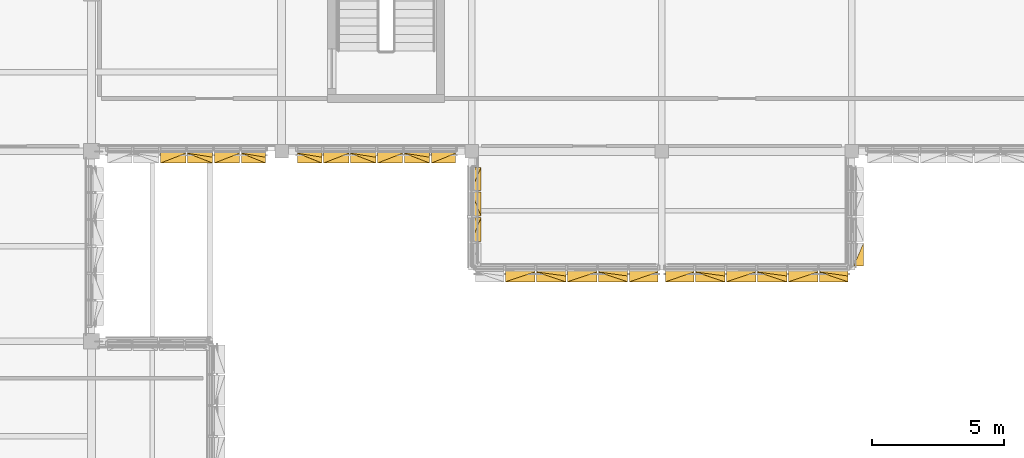
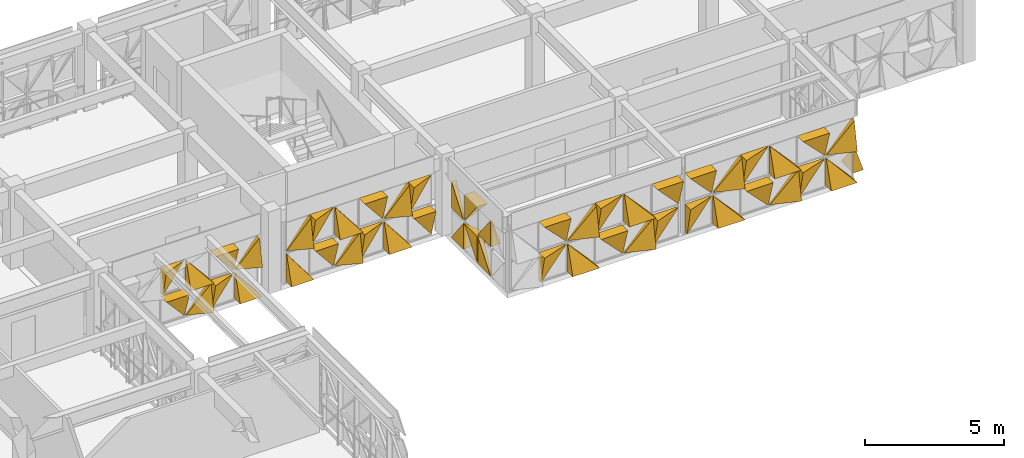
# One storey, part 92 of 99: 49 coverings.
"""IFC4 building model written with IfcOpenShell, lengths in metres."""

import ifcopenshell
import ifcopenshell.guid

model = None  # the IFC model being written
_history = None  # IfcOwnerHistory: only IFC2X3 demands one
_inside = {}  # id of a spatial element -> (the spatial element, [elements in it])
_under = {}  # id of a project, library or spatial element -> (it, [spatial elements below it])
_declared = {}  # id of a project -> (the project, [libraries it declares])
_typed = {}  # id of a type object -> (the type object, [elements of that type])
_made_of = {}  # id of a material, layer set ... -> (it, [elements and type objects made of it])


def new_model(schema):
    """Start an empty IFC model of exactly this schema.

    Asked for "IFC4X3", IfcOpenShell would pick the latest addendum, in which some entities
    have other attributes; the version numbers below select the first issue.
    IFC2X3 requires an IfcOwnerHistory on every rooted entity: one is made here for all.
    """
    global model, _history
    if schema == "IFC4X3":
        model = ifcopenshell.file(schema_version=(4, 3, 0, 0))
    else:
        model = ifcopenshell.file(schema=schema)
    _inside.clear()
    _under.clear()
    _declared.clear()
    _typed.clear()
    _made_of.clear()
    _history = None
    if model.schema == "IFC2X3":
        org = make("IfcOrganization", Name="unknown")
        user = make(
            "IfcPersonAndOrganization",
            ThePerson=make("IfcPerson", FamilyName="unknown"),
            TheOrganization=org,
        )
        app = make(
            "IfcApplication",
            ApplicationDeveloper=org,
            Version="unknown",
            ApplicationFullName="unknown",
            ApplicationIdentifier="unknown",
        )
        _history = make(
            "IfcOwnerHistory",
            OwningUser=user,
            OwningApplication=app,
            ChangeAction="ADDED",
            CreationDate=0,
        )
    return model


def make(cls, **values):
    """One entity of the class cls with the attributes given. An attribute that is None is left unset."""
    return model.create_entity(
        cls, **{name: value for name, value in values.items() if value is not None}
    )


def rooted(cls, **values):
    """An entity with a GlobalId (a new one), such as an element, a storey or a relation."""
    return make(cls, GlobalId=ifcopenshell.guid.new(), OwnerHistory=_history, **values)


def si_unit(unit_type, name, prefix=None):
    """IfcSIUnit, for example si_unit("LENGTHUNIT", "METRE", prefix="MILLI")."""
    return make("IfcSIUnit", UnitType=unit_type, Prefix=prefix, Name=name)


def assignment(units):
    """IfcUnitAssignment: the units of a project."""
    return None if units is None else make("IfcUnitAssignment", Units=units)


def point(xyz):
    """IfcCartesianPoint."""
    return None if xyz is None else make("IfcCartesianPoint", Coordinates=xyz)


def direction(xyz):
    """IfcDirection."""
    return None if xyz is None else make("IfcDirection", DirectionRatios=xyz)


def frame(location, z_axis=None, x_axis=None):
    """IfcAxis2Placement3D, a coordinate frame: its origin and axes. An axis left out is left unset."""
    return make(
        "IfcAxis2Placement3D",
        Location=point(location),
        Axis=direction(z_axis),
        RefDirection=direction(x_axis),
    )


def origin():
    """The frame at (0, 0, 0) with its axes left unset."""
    return frame((0.0, 0.0, 0.0))


def place(relative_to, where):
    """IfcLocalPlacement: puts the frame where relative to a parent placement (None: the world)."""
    return make(
        "IfcLocalPlacement", PlacementRelTo=relative_to, RelativePlacement=where
    )


def context(
    kind, dimensions, precision=None, world=None, true_north=None, identifier=None
):
    """IfcGeometricRepresentationContext, for example the 3D "Model" context."""
    return make(
        "IfcGeometricRepresentationContext",
        ContextIdentifier=identifier,
        ContextType=kind,
        CoordinateSpaceDimension=dimensions,
        Precision=precision,
        WorldCoordinateSystem=world,
        TrueNorth=true_north,
    )


def subcontext(parent, identifier, kind, view, scale=None):
    """IfcGeometricRepresentationSubContext, for example "Body" below "Model"."""
    return make(
        "IfcGeometricRepresentationSubContext",
        ContextIdentifier=identifier,
        ContextType=kind,
        ParentContext=parent,
        TargetScale=scale,
        TargetView=view,
    )


def project(units=None, contexts=None):
    """IfcProject with its units and contexts."""
    return rooted(
        "IfcProject",
        Name="project",
        RepresentationContexts=contexts,
        UnitsInContext=assignment(units),
    )


def spatial(cls, under=None, at=None, **own):
    """A site, building, storey or space (cls), placed at a placement, below another one or the project."""
    s = rooted(cls, ObjectPlacement=at, **own)
    if under is not None:
        _under.setdefault(under.id(), (under, []))[1].append(s)
    return s


def point_list(points):
    """IfcCartesianPointList2D or 3D."""
    cls = (
        "IfcCartesianPointList2D" if len(points[0]) == 2 else "IfcCartesianPointList3D"
    )
    return make(cls, CoordList=points)


def polygons(points, faces, closed=None, point_numbers=None):
    """IfcPolygonalFaceSet: a face is its outer loop, then its inner loops; points numbered from 1."""
    made = []
    for loops in faces:
        if len(loops) == 1:
            made.append(make("IfcIndexedPolygonalFace", CoordIndex=loops[0]))
        else:
            made.append(
                make(
                    "IfcIndexedPolygonalFaceWithVoids",
                    CoordIndex=loops[0],
                    InnerCoordIndices=loops[1:],
                )
            )
    return make(
        "IfcPolygonalFaceSet",
        Coordinates=point_list(points),
        Closed=closed,
        Faces=made,
        PnIndex=point_numbers,
    )


def shape(context_of_items, identifier, shape_type, items):
    """IfcShapeRepresentation: the items that make up one representation, for example the "Body"."""
    return make(
        "IfcShapeRepresentation",
        ContextOfItems=context_of_items,
        RepresentationIdentifier=identifier,
        RepresentationType=shape_type,
        Items=items,
    )


def material(Name=None, Category=None):
    """IfcMaterial."""
    return make("IfcMaterial", Name=Name, Category=Category)


def layer(
    of_material, thickness, ventilated=None, Name=None, Category=None, Priority=None
):
    """IfcMaterialLayer: one layer of a wall or slab, of a material (None: an air gap)."""
    return make(
        "IfcMaterialLayer",
        Material=of_material,
        LayerThickness=thickness,
        IsVentilated=ventilated,
        Name=Name,
        Category=Category,
        Priority=Priority,
    )


def layer_set(layers, Name=None):
    """IfcMaterialLayerSet."""
    return make("IfcMaterialLayerSet", MaterialLayers=layers, LayerSetName=Name)


def made_of(thing, what):
    """Note that an element or type object is made of a material, layer set ...; save() writes the relation."""
    if what is not None:
        _made_of.setdefault(what.id(), (what, []))[1].append(thing)
    return thing


def type_object(cls, material=None, **own):
    """A type object (cls), such as IfcWallType, which elements share."""
    return made_of(rooted(cls, **own), material)


def element(
    cls,
    number,
    at=None,
    inside=None,
    cuts=None,
    type_object=None,
    material=None,
    context=None,
    identifier="Body",
    shape_type=None,
    held_by="IfcProductDefinitionShape",
    body=None,
    shapes=None,
    **own,
):
    """One element of the class cls, such as IfcWall. Its Tag is "e" and its number.

    at: its placement. inside: the storey or other place that contains it. cuts: it is an
    opening in that element (IfcRelVoidsElement). A single representation is given by context,
    identifier, shape_type and body (its items); several are given by shapes. held_by: the class
    of the entity that holds the representations. save() writes the other relations.
    """
    e = rooted(cls, Tag="e%d" % number, ObjectPlacement=at, **own)
    if body is not None:
        shapes = [shape(context, identifier, shape_type, body)]
    if shapes is not None:
        e.Representation = make(held_by, Representations=shapes)
    if inside is not None:
        _inside.setdefault(inside.id(), (inside, []))[1].append(e)
    if cuts is not None:
        rooted(
            "IfcRelVoidsElement", RelatingBuildingElement=cuts, RelatedOpeningElement=e
        )
    if type_object is not None:
        _typed.setdefault(type_object.id(), (type_object, []))[1].append(e)
    return made_of(e, material)


def aggregate(whole, parts):
    """IfcRelAggregates: a whole, such as a stair, and the parts it consists of."""
    return rooted("IfcRelAggregates", RelatingObject=whole, RelatedObjects=parts)


def save(model, path):
    """Write the relations noted so far, then the file.

    IfcRelAggregates (storeys below a building ...), IfcRelContainedInSpatialStructure (elements
    in a storey), IfcRelDefinesByType, IfcRelAssociatesMaterial and IfcRelDeclares: one each for
    every whole, place, type object, material and project.
    """
    for whole, parts in _under.values():
        aggregate(whole, parts)
    for where, things in _inside.values():
        rooted(
            "IfcRelContainedInSpatialStructure",
            RelatedElements=things,
            RelatingStructure=where,
        )
    for kind, things in _typed.values():
        rooted("IfcRelDefinesByType", RelatedObjects=things, RelatingType=kind)
    for what, things in _made_of.values():
        rooted("IfcRelAssociatesMaterial", RelatedObjects=things, RelatingMaterial=what)
    for by, libraries in _declared.values():
        rooted("IfcRelDeclares", RelatingContext=by, RelatedDefinitions=libraries)
    model.write(path)


model = new_model("IFC4")

# Units and contexts
model_context = context("Model", 3, precision=1e-05, world=origin(), true_north=direction((0.0, 1.0)))
body_context = subcontext(model_context, "Body", "Model", "MODEL_VIEW")
ifc_project = project(units=[si_unit("LENGTHUNIT", "METRE"), si_unit("AREAUNIT", "SQUARE_METRE"), si_unit("VOLUMEUNIT", "CUBIC_METRE"), si_unit("PLANEANGLEUNIT", "RADIAN"), si_unit("MASSUNIT", "GRAM", prefix="KILO")], contexts=[model_context])

# Site, building, storey
site_placement = place(None, origin())
site = spatial("IfcSite", under=ifc_project, at=site_placement, CompositionType="ELEMENT")
building_placement = place(site_placement, origin())
building = spatial("IfcBuilding", under=site, at=building_placement, Name="Alvorim Cloister Faculty of Sciences", CompositionType="ELEMENT")
storey_placement = place(building_placement, frame((0.0, 0.0, 12.14990234375)))
storey = spatial("IfcBuildingStorey", under=building, at=storey_placement, Name="L03", CompositionType="ELEMENT", Elevation=12.14990234375)

# Coverings
ifc_material = material(Name="Perforated Bronze Alloy Sheet", Category="metal")
ifc_layer = layer(ifc_material, 0.0380859375)
ifc_layer_set = layer_set([ifc_layer], Name="Perforated Bronze Alloy Sheet")
covering_type = type_object("IfcCoveringType", Name="COV-TRI-BRZ", PredefinedType="CLADDING", material=ifc_layer_set)
covering_1_placement = place(storey_placement, frame((57.64501953125, 38.844970703125, 0.14013671875), z_axis=(0.0, 0.0, 1.0), x_axis=(0.0, 1.0, 0.0)))
element("IfcCovering", 1, at=covering_1_placement, inside=storey, type_object=covering_type, Name="Diagonal Solid Metal Triangle TRI-BL", PredefinedType="CLADDING", context=body_context, shape_type="Tessellation", body=[
    polygons([(0.0, 0.0260009765625, 0.0), (0.87055859375, 0.0260009765625, 0.0), (0.0, 0.0260009765625, 1.14106640625), (0.0, -0.4, 0.0), (0.87055859375, -0.4, 0.0), (0.0, -0.03, 1.14106640625)], [[[1, 3, 2]], [[4, 5, 6]], [[1, 2, 5, 4]], [[2, 3, 6, 5]], [[3, 1, 4, 6]]], closed=True),
])
covering_2_placement = place(storey_placement, frame((50.544921875, 38.655029296875, 0.14013671875), z_axis=(0.0, 0.0, 1.0), x_axis=(1.0, 0.0, 0.0)))
element("IfcCovering", 2, at=covering_2_placement, inside=storey, type_object=covering_type, Name="Diagonal Solid Metal Triangle TRI-TL", PredefinedType="CLADDING", context=body_context, shape_type="Tessellation", body=[
    polygons([(1.073927734375, 0.0260009765625, 1.218505859375), (0.0, 0.0260009765625, 1.218505859375), (0.0, 0.0260009765625, 0.002), (1.073927734375, -0.03, 1.218505859375), (0.0, -0.4, 1.218505859375), (0.0, -0.13999999999999999, 0.002)], [[[1, 3, 2]], [[4, 5, 6]], [[1, 2, 5, 4]], [[2, 3, 6, 5]], [[3, 1, 4, 6]]], closed=True),
])
covering_3_placement = place(storey_placement, frame((50.544921875, 38.655029296875, 1.49853515625), z_axis=(0.0, 0.0, 1.0), x_axis=(1.0, 0.0, 0.0)))
element("IfcCovering", 3, at=covering_3_placement, inside=storey, type_object=covering_type, Name="Diagonal Solid Metal Triangle TRI-TR", PredefinedType="CLADDING", context=body_context, shape_type="Tessellation", body=[
    polygons([(1.075927734375, 0.0260009765625, 0.002), (1.075927734375, 0.0260009765625, 1.218505859375), (0.002, 0.0260009765625, 1.218505859375), (1.075927734375, -0.03, 0.002), (1.075927734375, -0.4, 1.218505859375), (0.002, -0.4, 1.218505859375)], [[[1, 3, 2]], [[4, 5, 6]], [[1, 2, 5, 4]], [[2, 3, 6, 5]], [[3, 1, 4, 6]]], closed=True),
])
covering_4_placement = place(storey_placement, frame((51.685791015625, 38.655029296875, 0.14013671875), z_axis=(0.0, 0.0, 1.0), x_axis=(1.0, 0.0, 0.0)))
element("IfcCovering", 4, at=covering_4_placement, inside=storey, type_object=covering_type, Name="Diagonal Solid Metal Triangle TRI-BL", PredefinedType="CLADDING", context=body_context, shape_type="Tessellation", body=[
    polygons([(0.0, 0.0260009765625, 0.0), (1.1063984375, 0.0260009765625, 0.0), (0.0, 0.0260009765625, 1.216505859375), (0.0, -0.4, 0.0), (1.1063984375, -0.4, 0.0), (0.0, -0.03, 1.216505859375)], [[[1, 3, 2]], [[4, 5, 6]], [[1, 2, 5, 4]], [[2, 3, 6, 5]], [[3, 1, 4, 6]]], closed=True),
])
covering_5_placement = place(storey_placement, frame((51.685791015625, 38.655029296875, 1.49853515625), z_axis=(0.0, 0.0, 1.0), x_axis=(1.0, 0.0, 0.0)))
element("IfcCovering", 5, at=covering_5_placement, inside=storey, type_object=covering_type, Name="Diagonal Solid Metal Triangle TRI-BR", PredefinedType="CLADDING", context=body_context, shape_type="Tessellation", body=[
    polygons([(0.002, 0.0260009765625, 0.0), (1.1083984375, 0.0260009765625, 0.0), (1.1083984375, 0.0260009765625, 1.216505859375), (0.002, -0.03, 0.0), (1.1083984375, -0.4, 0.0), (1.1083984375, -0.18000000000000002, 1.216505859375)], [[[1, 3, 2]], [[4, 5, 6]], [[1, 2, 5, 4]], [[2, 3, 6, 5]], [[3, 1, 4, 6]]], closed=True),
])
covering_6_placement = place(storey_placement, frame((52.859130859375, 38.655029296875, 0.14013671875), z_axis=(0.0, 0.0, 1.0), x_axis=(1.0, 0.0, 0.0)))
element("IfcCovering", 6, at=covering_6_placement, inside=storey, type_object=covering_type, Name="Diagonal Solid Metal Triangle TRI-TR", PredefinedType="CLADDING", context=body_context, shape_type="Tessellation", body=[
    polygons([(1.1083984375, 0.0260009765625, 0.002), (1.1083984375, 0.0260009765625, 1.218505859375), (0.002, 0.0260009765625, 1.218505859375), (1.1083984375, -0.03, 0.002), (1.1083984375, -0.4, 1.218505859375), (0.002, -0.4, 1.218505859375)], [[[1, 3, 2]], [[4, 5, 6]], [[1, 2, 5, 4]], [[2, 3, 6, 5]], [[3, 1, 4, 6]]], closed=True),
])
covering_7_placement = place(storey_placement, frame((52.859130859375, 38.655029296875, 1.49853515625), z_axis=(0.0, 0.0, 1.0), x_axis=(1.0, 0.0, 0.0)))
element("IfcCovering", 7, at=covering_7_placement, inside=storey, type_object=covering_type, Name="Diagonal Solid Metal Triangle TRI-TL", PredefinedType="CLADDING", context=body_context, shape_type="Tessellation", body=[
    polygons([(1.1063984375, 0.0260009765625, 1.218505859375), (0.0, 0.0260009765625, 1.218505859375), (0.0, 0.0260009765625, 0.002), (1.1063984375, -0.03, 1.218505859375), (0.0, -0.4, 1.218505859375), (0.0, -0.13999999999999999, 0.002)], [[[1, 3, 2]], [[4, 5, 6]], [[1, 2, 5, 4]], [[2, 3, 6, 5]], [[3, 1, 4, 6]]], closed=True),
])
covering_8_placement = place(storey_placement, frame((54.032470703125, 38.655029296875, 0.14013671875), z_axis=(0.0, 0.0, 1.0), x_axis=(1.0, 0.0, 0.0)))
element("IfcCovering", 8, at=covering_8_placement, inside=storey, type_object=covering_type, Name="Diagonal Solid Metal Triangle TRI-BR", PredefinedType="CLADDING", context=body_context, shape_type="Tessellation", body=[
    polygons([(0.002, 0.0260009765625, 0.0), (1.1083984375, 0.0260009765625, 0.0), (1.1083984375, 0.0260009765625, 1.216505859375), (0.002, -0.03, 0.0), (1.1083984375, -0.4, 0.0), (1.1083984375, -0.18000000000000002, 1.216505859375)], [[[1, 3, 2]], [[4, 5, 6]], [[1, 2, 5, 4]], [[2, 3, 6, 5]], [[3, 1, 4, 6]]], closed=True),
])
covering_9_placement = place(storey_placement, frame((54.032470703125, 38.655029296875, 1.49853515625), z_axis=(0.0, 0.0, 1.0), x_axis=(1.0, 0.0, 0.0)))
element("IfcCovering", 9, at=covering_9_placement, inside=storey, type_object=covering_type, Name="Diagonal Solid Metal Triangle TRI-BL", PredefinedType="CLADDING", context=body_context, shape_type="Tessellation", body=[
    polygons([(0.0, 0.0260009765625, 0.0), (1.1063984375, 0.0260009765625, 0.0), (0.0, 0.0260009765625, 1.216505859375), (0.0, -0.4, 0.0), (1.1063984375, -0.4, 0.0), (0.0, -0.03, 1.216505859375)], [[[1, 3, 2]], [[4, 5, 6]], [[1, 2, 5, 4]], [[2, 3, 6, 5]], [[3, 1, 4, 6]]], closed=True),
])
covering_10_placement = place(storey_placement, frame((55.205810546875, 38.655029296875, 0.14013671875), z_axis=(0.0, 0.0, 1.0), x_axis=(1.0, 0.0, 0.0)))
element("IfcCovering", 10, at=covering_10_placement, inside=storey, type_object=covering_type, Name="Diagonal Solid Metal Triangle TRI-TL", PredefinedType="CLADDING", context=body_context, shape_type="Tessellation", body=[
    polygons([(1.1063984375, 0.0260009765625, 1.218505859375), (0.0, 0.0260009765625, 1.218505859375), (0.0, 0.0260009765625, 0.002), (1.1063984375, -0.03, 1.218505859375), (0.0, -0.4, 1.218505859375), (0.0, -0.13999999999999999, 0.002)], [[[1, 3, 2]], [[4, 5, 6]], [[1, 2, 5, 4]], [[2, 3, 6, 5]], [[3, 1, 4, 6]]], closed=True),
])
covering_11_placement = place(storey_placement, frame((55.205810546875, 38.655029296875, 1.49853515625), z_axis=(0.0, 0.0, 1.0), x_axis=(1.0, 0.0, 0.0)))
element("IfcCovering", 11, at=covering_11_placement, inside=storey, type_object=covering_type, Name="Diagonal Solid Metal Triangle TRI-TR", PredefinedType="CLADDING", context=body_context, shape_type="Tessellation", body=[
    polygons([(1.1083984375, 0.0260009765625, 0.002), (1.1083984375, 0.0260009765625, 1.218505859375), (0.002, 0.0260009765625, 1.218505859375), (1.1083984375, -0.03, 0.002), (1.1083984375, -0.4, 1.218505859375), (0.002, -0.4, 1.218505859375)], [[[1, 3, 2]], [[4, 5, 6]], [[1, 2, 5, 4]], [[2, 3, 6, 5]], [[3, 1, 4, 6]]], closed=True),
])
covering_12_placement = place(storey_placement, frame((56.379150390625, 38.655029296875, 0.14013671875), z_axis=(0.0, 0.0, 1.0), x_axis=(1.0, 0.0, 0.0)))
element("IfcCovering", 12, at=covering_12_placement, inside=storey, type_object=covering_type, Name="Diagonal Solid Metal Triangle TRI-BL", PredefinedType="CLADDING", context=body_context, shape_type="Tessellation", body=[
    polygons([(0.0, 0.0260009765625, 0.0), (1.073927734375, 0.0260009765625, 0.0), (0.0, 0.0260009765625, 1.216505859375), (0.0, -0.4, 0.0), (1.073927734375, -0.4, 0.0), (0.0, -0.03, 1.216505859375)], [[[1, 3, 2]], [[4, 5, 6]], [[1, 2, 5, 4]], [[2, 3, 6, 5]], [[3, 1, 4, 6]]], closed=True),
])
covering_13_placement = place(storey_placement, frame((56.379150390625, 38.655029296875, 1.49853515625), z_axis=(0.0, 0.0, 1.0), x_axis=(1.0, 0.0, 0.0)))
element("IfcCovering", 13, at=covering_13_placement, inside=storey, type_object=covering_type, Name="Diagonal Solid Metal Triangle TRI-BR", PredefinedType="CLADDING", context=body_context, shape_type="Tessellation", body=[
    polygons([(0.002, 0.0260009765625, 0.0), (1.075927734375, 0.0260009765625, 0.0), (1.075927734375, 0.0260009765625, 1.216505859375), (0.002, -0.03, 0.0), (1.075927734375, -0.4, 0.0), (1.075927734375, -0.18000000000000002, 1.216505859375)], [[[1, 3, 2]], [[4, 5, 6]], [[1, 2, 5, 4]], [[2, 3, 6, 5]], [[3, 1, 4, 6]]], closed=True),
])
covering_14_placement = place(storey_placement, frame((44.48583984375, 38.655029296875, 0.14013671875), z_axis=(0.0, 0.0, 1.0), x_axis=(1.0, 0.0, 0.0)))
element("IfcCovering", 14, at=covering_14_placement, inside=storey, type_object=covering_type, Name="Diagonal Solid Metal Triangle TRI-TL", PredefinedType="CLADDING", context=body_context, shape_type="Tessellation", body=[
    polygons([(1.1063984375, 0.0260009765625, 1.218505859375), (0.0, 0.0260009765625, 1.218505859375), (0.0, 0.0260009765625, 0.002), (1.1063984375, -0.03, 1.218505859375), (0.0, -0.4, 1.218505859375), (0.0, -0.13999999999999999, 0.002)], [[[1, 3, 2]], [[4, 5, 6]], [[1, 2, 5, 4]], [[2, 3, 6, 5]], [[3, 1, 4, 6]]], closed=True),
])
covering_15_placement = place(storey_placement, frame((44.48583984375, 38.655029296875, 1.49853515625), z_axis=(0.0, 0.0, 1.0), x_axis=(1.0, 0.0, 0.0)))
element("IfcCovering", 15, at=covering_15_placement, inside=storey, type_object=covering_type, Name="Diagonal Solid Metal Triangle TRI-TR", PredefinedType="CLADDING", context=body_context, shape_type="Tessellation", body=[
    polygons([(1.1083984375, 0.0260009765625, 0.002), (1.1083984375, 0.0260009765625, 1.218505859375), (0.002, 0.0260009765625, 1.218505859375), (1.1083984375, -0.03, 0.002), (1.1083984375, -0.4, 1.218505859375), (0.002, -0.4, 1.218505859375)], [[[1, 3, 2]], [[4, 5, 6]], [[1, 2, 5, 4]], [[2, 3, 6, 5]], [[3, 1, 4, 6]]], closed=True),
])
covering_16_placement = place(storey_placement, frame((45.6591796875, 38.655029296875, 0.14013671875), z_axis=(0.0, 0.0, 1.0), x_axis=(1.0, 0.0, 0.0)))
element("IfcCovering", 16, at=covering_16_placement, inside=storey, type_object=covering_type, Name="Diagonal Solid Metal Triangle TRI-BL", PredefinedType="CLADDING", context=body_context, shape_type="Tessellation", body=[
    polygons([(0.0, 0.0260009765625, 0.0), (1.1063984375, 0.0260009765625, 0.0), (0.0, 0.0260009765625, 1.216505859375), (0.0, -0.4, 0.0), (1.1063984375, -0.4, 0.0), (0.0, -0.03, 1.216505859375)], [[[1, 3, 2]], [[4, 5, 6]], [[1, 2, 5, 4]], [[2, 3, 6, 5]], [[3, 1, 4, 6]]], closed=True),
])
covering_17_placement = place(storey_placement, frame((45.6591796875, 38.655029296875, 1.49853515625), z_axis=(0.0, 0.0, 1.0), x_axis=(1.0, 0.0, 0.0)))
element("IfcCovering", 17, at=covering_17_placement, inside=storey, type_object=covering_type, Name="Diagonal Solid Metal Triangle TRI-BR", PredefinedType="CLADDING", context=body_context, shape_type="Tessellation", body=[
    polygons([(0.002, 0.0260009765625, 0.0), (1.1083984375, 0.0260009765625, 0.0), (1.1083984375, 0.0260009765625, 1.216505859375), (0.002, -0.03, 0.0), (1.1083984375, -0.4, 0.0), (1.1083984375, -0.18000000000000002, 1.216505859375)], [[[1, 3, 2]], [[4, 5, 6]], [[1, 2, 5, 4]], [[2, 3, 6, 5]], [[3, 1, 4, 6]]], closed=True),
])
covering_18_placement = place(storey_placement, frame((46.83251953125, 38.655029296875, 0.14013671875), z_axis=(0.0, 0.0, 1.0), x_axis=(1.0, 0.0, 0.0)))
element("IfcCovering", 18, at=covering_18_placement, inside=storey, type_object=covering_type, Name="Diagonal Solid Metal Triangle TRI-TR", PredefinedType="CLADDING", context=body_context, shape_type="Tessellation", body=[
    polygons([(1.1083984375, 0.0260009765625, 0.002), (1.1083984375, 0.0260009765625, 1.218505859375), (0.002, 0.0260009765625, 1.218505859375), (1.1083984375, -0.03, 0.002), (1.1083984375, -0.4, 1.218505859375), (0.002, -0.4, 1.218505859375)], [[[1, 3, 2]], [[4, 5, 6]], [[1, 2, 5, 4]], [[2, 3, 6, 5]], [[3, 1, 4, 6]]], closed=True),
])
covering_19_placement = place(storey_placement, frame((46.83251953125, 38.655029296875, 1.49853515625), z_axis=(0.0, 0.0, 1.0), x_axis=(1.0, 0.0, 0.0)))
element("IfcCovering", 19, at=covering_19_placement, inside=storey, type_object=covering_type, Name="Diagonal Solid Metal Triangle TRI-TL", PredefinedType="CLADDING", context=body_context, shape_type="Tessellation", body=[
    polygons([(1.1063984375, 0.0260009765625, 1.218505859375), (0.0, 0.0260009765625, 1.218505859375), (0.0, 0.0260009765625, 0.002), (1.1063984375, -0.03, 1.218505859375), (0.0, -0.4, 1.218505859375), (0.0, -0.13999999999999999, 0.002)], [[[1, 3, 2]], [[4, 5, 6]], [[1, 2, 5, 4]], [[2, 3, 6, 5]], [[3, 1, 4, 6]]], closed=True),
])
covering_20_placement = place(storey_placement, frame((48.005859375, 38.655029296875, 0.14013671875), z_axis=(0.0, 0.0, 1.0), x_axis=(1.0, 0.0, 0.0)))
element("IfcCovering", 20, at=covering_20_placement, inside=storey, type_object=covering_type, Name="Diagonal Solid Metal Triangle TRI-BR", PredefinedType="CLADDING", context=body_context, shape_type="Tessellation", body=[
    polygons([(0.002, 0.0260009765625, 0.0), (1.1083984375, 0.0260009765625, 0.0), (1.1083984375, 0.0260009765625, 1.216505859375), (0.002, -0.03, 0.0), (1.1083984375, -0.4, 0.0), (1.1083984375, -0.18000000000000002, 1.216505859375)], [[[1, 3, 2]], [[4, 5, 6]], [[1, 2, 5, 4]], [[2, 3, 6, 5]], [[3, 1, 4, 6]]], closed=True),
])
covering_21_placement = place(storey_placement, frame((48.005859375, 38.655029296875, 1.49853515625), z_axis=(0.0, 0.0, 1.0), x_axis=(1.0, 0.0, 0.0)))
element("IfcCovering", 21, at=covering_21_placement, inside=storey, type_object=covering_type, Name="Diagonal Solid Metal Triangle TRI-BL", PredefinedType="CLADDING", context=body_context, shape_type="Tessellation", body=[
    polygons([(0.0, 0.0260009765625, 0.0), (1.1063984375, 0.0260009765625, 0.0), (0.0, 0.0260009765625, 1.216505859375), (0.0, -0.4, 0.0), (1.1063984375, -0.4, 0.0), (0.0, -0.03, 1.216505859375)], [[[1, 3, 2]], [[4, 5, 6]], [[1, 2, 5, 4]], [[2, 3, 6, 5]], [[3, 1, 4, 6]]], closed=True),
])
covering_22_placement = place(storey_placement, frame((49.17919921875, 38.655029296875, 0.14013671875), z_axis=(0.0, 0.0, 1.0), x_axis=(1.0, 0.0, 0.0)))
element("IfcCovering", 22, at=covering_22_placement, inside=storey, type_object=covering_type, Name="Diagonal Solid Metal Triangle TRI-TL", PredefinedType="CLADDING", context=body_context, shape_type="Tessellation", body=[
    polygons([(1.073927734375, 0.0260009765625, 1.218505859375), (0.0, 0.0260009765625, 1.218505859375), (0.0, 0.0260009765625, 0.002), (1.073927734375, -0.03, 1.218505859375), (0.0, -0.4, 1.218505859375), (0.0, -0.13999999999999999, 0.002)], [[[1, 3, 2]], [[4, 5, 6]], [[1, 2, 5, 4]], [[2, 3, 6, 5]], [[3, 1, 4, 6]]], closed=True),
])
covering_23_placement = place(storey_placement, frame((49.17919921875, 38.655029296875, 1.49853515625), z_axis=(0.0, 0.0, 1.0), x_axis=(1.0, 0.0, 0.0)))
element("IfcCovering", 23, at=covering_23_placement, inside=storey, type_object=covering_type, Name="Diagonal Solid Metal Triangle TRI-TR", PredefinedType="CLADDING", context=body_context, shape_type="Tessellation", body=[
    polygons([(1.075927734375, 0.0260009765625, 0.002), (1.075927734375, 0.0260009765625, 1.218505859375), (0.002, 0.0260009765625, 1.218505859375), (1.075927734375, -0.03, 0.002), (1.075927734375, -0.4, 1.218505859375), (0.002, -0.4, 1.218505859375)], [[[1, 3, 2]], [[4, 5, 6]], [[1, 2, 5, 4]], [[2, 3, 6, 5]], [[3, 1, 4, 6]]], closed=True),
])
covering_24_placement = place(storey_placement, frame((43.155029296875, 39.782470703125, 0.14013671875), z_axis=(0.0, 0.0, 1.0), x_axis=(0.0, 1.0, 0.0)))
element("IfcCovering", 24, at=covering_24_placement, inside=storey, type_object=covering_type, Name="Diagonal Solid Metal Triangle TRI-BR", PredefinedType="CLADDING", context=body_context, shape_type="Tessellation", body=[
    polygons([(0.002, 0.0260009765625, 0.0), (0.905029296875, 0.0260009765625, 0.0), (0.905029296875, 0.0260009765625, 1.14106640625), (0.002, -0.03, 0.0), (0.905029296875, -0.4, 0.0), (0.905029296875, -0.18000000000000002, 1.14106640625)], [[[1, 3, 2]], [[4, 5, 6]], [[1, 2, 5, 4]], [[2, 3, 6, 5]], [[3, 1, 4, 6]]], closed=True),
])
covering_25_placement = place(storey_placement, frame((43.155029296875, 39.782470703125, 1.423095703125), z_axis=(0.0, 0.0, 1.0), x_axis=(0.0, 1.0, 0.0)))
element("IfcCovering", 25, at=covering_25_placement, inside=storey, type_object=covering_type, Name="Diagonal Solid Metal Triangle TRI-BL", PredefinedType="CLADDING", context=body_context, shape_type="Tessellation", body=[
    polygons([(0.0, 0.0260009765625, 0.0), (0.903029296875, 0.0260009765625, 0.0), (0.0, 0.0260009765625, 1.14106640625), (0.0, -0.4, 0.0), (0.903029296875, -0.4, 0.0), (0.0, -0.03, 1.14106640625)], [[[1, 3, 2]], [[4, 5, 6]], [[1, 2, 5, 4]], [[2, 3, 6, 5]], [[3, 1, 4, 6]]], closed=True),
])
covering_26_placement = place(storey_placement, frame((43.155029296875, 40.75244140625, 0.14013671875), z_axis=(0.0, 0.0, 1.0), x_axis=(0.0, 1.0, 0.0)))
element("IfcCovering", 26, at=covering_26_placement, inside=storey, type_object=covering_type, Name="Diagonal Solid Metal Triangle TRI-TL", PredefinedType="CLADDING", context=body_context, shape_type="Tessellation", body=[
    polygons([(0.903029296875, 0.0260009765625, 1.14306640625), (0.0, 0.0260009765625, 1.14306640625), (0.0, 0.0260009765625, 0.002), (0.903029296875, -0.03, 1.14306640625), (0.0, -0.4, 1.14306640625), (0.0, -0.13999999999999999, 0.002)], [[[1, 3, 2]], [[4, 5, 6]], [[1, 2, 5, 4]], [[2, 3, 6, 5]], [[3, 1, 4, 6]]], closed=True),
])
covering_27_placement = place(storey_placement, frame((43.155029296875, 40.75244140625, 1.423095703125), z_axis=(0.0, 0.0, 1.0), x_axis=(0.0, 1.0, 0.0)))
element("IfcCovering", 27, at=covering_27_placement, inside=storey, type_object=covering_type, Name="Diagonal Solid Metal Triangle TRI-TR", PredefinedType="CLADDING", context=body_context, shape_type="Tessellation", body=[
    polygons([(0.905029296875, 0.0260009765625, 0.002), (0.905029296875, 0.0260009765625, 1.14306640625), (0.002, 0.0260009765625, 1.14306640625), (0.905029296875, -0.03, 0.002), (0.905029296875, -0.4, 1.14306640625), (0.002, -0.4, 1.14306640625)], [[[1, 3, 2]], [[4, 5, 6]], [[1, 2, 5, 4]], [[2, 3, 6, 5]], [[3, 1, 4, 6]]], closed=True),
])
covering_28_placement = place(storey_placement, frame((43.155029296875, 41.722412109375, 0.14013671875), z_axis=(0.0, 0.0, 1.0), x_axis=(0.0, 1.0, 0.0)))
element("IfcCovering", 28, at=covering_28_placement, inside=storey, type_object=covering_type, Name="Diagonal Solid Metal Triangle TRI-BL", PredefinedType="CLADDING", context=body_context, shape_type="Tessellation", body=[
    polygons([(0.0, 0.0260009765625, 0.0), (0.87055859375, 0.0260009765625, 0.0), (0.0, 0.0260009765625, 1.14106640625), (0.0, -0.4, 0.0), (0.87055859375, -0.4, 0.0), (0.0, -0.03, 1.14106640625)], [[[1, 3, 2]], [[4, 5, 6]], [[1, 2, 5, 4]], [[2, 3, 6, 5]], [[3, 1, 4, 6]]], closed=True),
])
covering_29_placement = place(storey_placement, frame((43.155029296875, 41.722412109375, 1.423095703125), z_axis=(0.0, 0.0, 1.0), x_axis=(0.0, 1.0, 0.0)))
element("IfcCovering", 29, at=covering_29_placement, inside=storey, type_object=covering_type, Name="Diagonal Solid Metal Triangle TRI-BR", PredefinedType="CLADDING", context=body_context, shape_type="Tessellation", body=[
    polygons([(0.002, 0.0260009765625, 0.0), (0.87255859375, 0.0260009765625, 0.0), (0.87255859375, 0.0260009765625, 1.14106640625), (0.002, -0.03, 0.0), (0.87255859375, -0.4, 0.0), (0.87255859375, -0.18000000000000002, 1.14106640625)], [[[1, 3, 2]], [[4, 5, 6]], [[1, 2, 5, 4]], [[2, 3, 6, 5]], [[3, 1, 4, 6]]], closed=True),
])
covering_30_placement = place(storey_placement, frame((36.60498046875, 43.155029296875, 0.14013671875), z_axis=(0.0, 0.0, 1.0), x_axis=(1.0, 0.0, 0.0)))
element("IfcCovering", 30, at=covering_30_placement, inside=storey, type_object=covering_type, Name="Diagonal Solid Metal Triangle TRI-BL", PredefinedType="CLADDING", context=body_context, shape_type="Tessellation", body=[
    polygons([(0.0, 0.0260009765625, 0.0), (0.920607421875, 0.0260009765625, 0.0), (0.0, 0.0260009765625, 1.21284375), (0.0, -0.4, 0.0), (0.920607421875, -0.4, 0.0), (0.0, -0.03, 1.21284375)], [[[1, 3, 2]], [[4, 5, 6]], [[1, 2, 5, 4]], [[2, 3, 6, 5]], [[3, 1, 4, 6]]], closed=True),
])
covering_31_placement = place(storey_placement, frame((36.60498046875, 43.155029296875, 1.4951171875), z_axis=(0.0, 0.0, 1.0), x_axis=(1.0, 0.0, 0.0)))
element("IfcCovering", 31, at=covering_31_placement, inside=storey, type_object=covering_type, Name="Diagonal Solid Metal Triangle TRI-BR", PredefinedType="CLADDING", context=body_context, shape_type="Tessellation", body=[
    polygons([(0.002, 0.0260009765625, 0.0), (0.922607421875, 0.0260009765625, 0.0), (0.922607421875, 0.0260009765625, 1.213087890625), (0.002, -0.03, 0.0), (0.922607421875, -0.4, 0.0), (0.922607421875, -0.18000000000000002, 1.213087890625)], [[[1, 3, 2]], [[4, 5, 6]], [[1, 2, 5, 4]], [[2, 3, 6, 5]], [[3, 1, 4, 6]]], closed=True),
])
covering_32_placement = place(storey_placement, frame((37.592529296875, 43.155029296875, 0.14013671875), z_axis=(0.0, 0.0, 1.0), x_axis=(1.0, 0.0, 0.0)))
element("IfcCovering", 32, at=covering_32_placement, inside=storey, type_object=covering_type, Name="Diagonal Solid Metal Triangle TRI-TR", PredefinedType="CLADDING", context=body_context, shape_type="Tessellation", body=[
    polygons([(0.955078125, 0.0260009765625, 0.002), (0.955078125, 0.0260009765625, 1.21484375), (0.002, 0.0260009765625, 1.21484375), (0.955078125, -0.03, 0.002), (0.955078125, -0.4, 1.21484375), (0.002, -0.4, 1.21484375)], [[[1, 3, 2]], [[4, 5, 6]], [[1, 2, 5, 4]], [[2, 3, 6, 5]], [[3, 1, 4, 6]]], closed=True),
])
covering_33_placement = place(storey_placement, frame((37.592529296875, 43.155029296875, 1.4951171875), z_axis=(0.0, 0.0, 1.0), x_axis=(1.0, 0.0, 0.0)))
element("IfcCovering", 33, at=covering_33_placement, inside=storey, type_object=covering_type, Name="Diagonal Solid Metal Triangle TRI-TL", PredefinedType="CLADDING", context=body_context, shape_type="Tessellation", body=[
    polygons([(0.953078125, 0.0260009765625, 1.215087890625), (0.0, 0.0260009765625, 1.215087890625), (0.0, 0.0260009765625, 0.002), (0.953078125, -0.03, 1.215087890625), (0.0, -0.4, 1.215087890625), (0.0, -0.13999999999999999, 0.002)], [[[1, 3, 2]], [[4, 5, 6]], [[1, 2, 5, 4]], [[2, 3, 6, 5]], [[3, 1, 4, 6]]], closed=True),
])
covering_34_placement = place(storey_placement, frame((38.612548828125, 43.155029296875, 0.14013671875), z_axis=(0.0, 0.0, 1.0), x_axis=(1.0, 0.0, 0.0)))
element("IfcCovering", 34, at=covering_34_placement, inside=storey, type_object=covering_type, Name="Diagonal Solid Metal Triangle TRI-BR", PredefinedType="CLADDING", context=body_context, shape_type="Tessellation", body=[
    polygons([(0.002, 0.0260009765625, 0.0), (0.955078125, 0.0260009765625, 0.0), (0.955078125, 0.0260009765625, 1.21284375), (0.002, -0.03, 0.0), (0.955078125, -0.4, 0.0), (0.955078125, -0.18000000000000002, 1.21284375)], [[[1, 3, 2]], [[4, 5, 6]], [[1, 2, 5, 4]], [[2, 3, 6, 5]], [[3, 1, 4, 6]]], closed=True),
])
covering_35_placement = place(storey_placement, frame((38.612548828125, 43.155029296875, 1.4951171875), z_axis=(0.0, 0.0, 1.0), x_axis=(1.0, 0.0, 0.0)))
element("IfcCovering", 35, at=covering_35_placement, inside=storey, type_object=covering_type, Name="Diagonal Solid Metal Triangle TRI-BL", PredefinedType="CLADDING", context=body_context, shape_type="Tessellation", body=[
    polygons([(0.0, 0.0260009765625, 0.0), (0.953078125, 0.0260009765625, 0.0), (0.0, 0.0260009765625, 1.213087890625), (0.0, -0.4, 0.0), (0.953078125, -0.4, 0.0), (0.0, -0.03, 1.213087890625)], [[[1, 3, 2]], [[4, 5, 6]], [[1, 2, 5, 4]], [[2, 3, 6, 5]], [[3, 1, 4, 6]]], closed=True),
])
covering_36_placement = place(storey_placement, frame((39.632568359375, 43.155029296875, 0.14013671875), z_axis=(0.0, 0.0, 1.0), x_axis=(1.0, 0.0, 0.0)))
element("IfcCovering", 36, at=covering_36_placement, inside=storey, type_object=covering_type, Name="Diagonal Solid Metal Triangle TRI-TL", PredefinedType="CLADDING", context=body_context, shape_type="Tessellation", body=[
    polygons([(0.953078125, 0.0260009765625, 1.21484375), (0.0, 0.0260009765625, 1.21484375), (0.0, 0.0260009765625, 0.002), (0.953078125, -0.03, 1.21484375), (0.0, -0.4, 1.21484375), (0.0, -0.13999999999999999, 0.002)], [[[1, 3, 2]], [[4, 5, 6]], [[1, 2, 5, 4]], [[2, 3, 6, 5]], [[3, 1, 4, 6]]], closed=True),
])
covering_37_placement = place(storey_placement, frame((39.632568359375, 43.155029296875, 1.4951171875), z_axis=(0.0, 0.0, 1.0), x_axis=(1.0, 0.0, 0.0)))
element("IfcCovering", 37, at=covering_37_placement, inside=storey, type_object=covering_type, Name="Diagonal Solid Metal Triangle TRI-TR", PredefinedType="CLADDING", context=body_context, shape_type="Tessellation", body=[
    polygons([(0.955078125, 0.0260009765625, 0.002), (0.955078125, 0.0260009765625, 1.215087890625), (0.002, 0.0260009765625, 1.215087890625), (0.955078125, -0.03, 0.002), (0.955078125, -0.4, 1.215087890625), (0.002, -0.4, 1.215087890625)], [[[1, 3, 2]], [[4, 5, 6]], [[1, 2, 5, 4]], [[2, 3, 6, 5]], [[3, 1, 4, 6]]], closed=True),
])
covering_38_placement = place(storey_placement, frame((40.652587890625, 43.155029296875, 0.14013671875), z_axis=(0.0, 0.0, 1.0), x_axis=(1.0, 0.0, 0.0)))
element("IfcCovering", 38, at=covering_38_placement, inside=storey, type_object=covering_type, Name="Diagonal Solid Metal Triangle TRI-BL", PredefinedType="CLADDING", context=body_context, shape_type="Tessellation", body=[
    polygons([(0.0, 0.0260009765625, 0.0), (0.953078125, 0.0260009765625, 0.0), (0.0, 0.0260009765625, 1.21284375), (0.0, -0.4, 0.0), (0.953078125, -0.4, 0.0), (0.0, -0.03, 1.21284375)], [[[1, 3, 2]], [[4, 5, 6]], [[1, 2, 5, 4]], [[2, 3, 6, 5]], [[3, 1, 4, 6]]], closed=True),
])
covering_39_placement = place(storey_placement, frame((40.652587890625, 43.155029296875, 1.4951171875), z_axis=(0.0, 0.0, 1.0), x_axis=(1.0, 0.0, 0.0)))
element("IfcCovering", 39, at=covering_39_placement, inside=storey, type_object=covering_type, Name="Diagonal Solid Metal Triangle TRI-BR", PredefinedType="CLADDING", context=body_context, shape_type="Tessellation", body=[
    polygons([(0.002, 0.0260009765625, 0.0), (0.955078125, 0.0260009765625, 0.0), (0.955078125, 0.0260009765625, 1.213087890625), (0.002, -0.03, 0.0), (0.955078125, -0.4, 0.0), (0.955078125, -0.18000000000000002, 1.213087890625)], [[[1, 3, 2]], [[4, 5, 6]], [[1, 2, 5, 4]], [[2, 3, 6, 5]], [[3, 1, 4, 6]]], closed=True),
])
covering_40_placement = place(storey_placement, frame((41.672607421875, 43.155029296875, 0.14013671875), z_axis=(0.0, 0.0, 1.0), x_axis=(1.0, 0.0, 0.0)))
element("IfcCovering", 40, at=covering_40_placement, inside=storey, type_object=covering_type, Name="Diagonal Solid Metal Triangle TRI-TR", PredefinedType="CLADDING", context=body_context, shape_type="Tessellation", body=[
    polygons([(0.922607421875, 0.0260009765625, 0.002), (0.922607421875, 0.0260009765625, 1.21484375), (0.002, 0.0260009765625, 1.21484375), (0.922607421875, -0.03, 0.002), (0.922607421875, -0.4, 1.21484375), (0.002, -0.4, 1.21484375)], [[[1, 3, 2]], [[4, 5, 6]], [[1, 2, 5, 4]], [[2, 3, 6, 5]], [[3, 1, 4, 6]]], closed=True),
])
covering_41_placement = place(storey_placement, frame((41.672607421875, 43.155029296875, 1.4951171875), z_axis=(0.0, 0.0, 1.0), x_axis=(1.0, 0.0, 0.0)))
element("IfcCovering", 41, at=covering_41_placement, inside=storey, type_object=covering_type, Name="Diagonal Solid Metal Triangle TRI-TL", PredefinedType="CLADDING", context=body_context, shape_type="Tessellation", body=[
    polygons([(0.920607421875, 0.0260009765625, 1.215087890625), (0.0, 0.0260009765625, 1.215087890625), (0.0, 0.0260009765625, 0.002), (0.920607421875, -0.03, 1.215087890625), (0.0, -0.4, 1.215087890625), (0.0, -0.13999999999999999, 0.002)], [[[1, 3, 2]], [[4, 5, 6]], [[1, 2, 5, 4]], [[2, 3, 6, 5]], [[3, 1, 4, 6]]], closed=True),
])
covering_42_placement = place(storey_placement, frame((31.41259765625, 43.155029296875, 0.14013671875), z_axis=(0.0, 0.0, 1.0), x_axis=(1.0, 0.0, 0.0)))
element("IfcCovering", 42, at=covering_42_placement, inside=storey, type_object=covering_type, Name="Diagonal Solid Metal Triangle TRI-TR", PredefinedType="CLADDING", context=body_context, shape_type="Tessellation", body=[
    polygons([(0.955078125, 0.0260009765625, 0.002), (0.955078125, 0.0260009765625, 1.14306640625), (0.002, 0.0260009765625, 1.14306640625), (0.955078125, -0.03, 0.002), (0.955078125, -0.4, 1.14306640625), (0.002, -0.4, 1.14306640625)], [[[1, 3, 2]], [[4, 5, 6]], [[1, 2, 5, 4]], [[2, 3, 6, 5]], [[3, 1, 4, 6]]], closed=True),
])
covering_43_placement = place(storey_placement, frame((31.41259765625, 43.155029296875, 1.423095703125), z_axis=(0.0, 0.0, 1.0), x_axis=(1.0, 0.0, 0.0)))
element("IfcCovering", 43, at=covering_43_placement, inside=storey, type_object=covering_type, Name="Diagonal Solid Metal Triangle TRI-TL", PredefinedType="CLADDING", context=body_context, shape_type="Tessellation", body=[
    polygons([(0.953078125, 0.0260009765625, 1.14306640625), (0.0, 0.0260009765625, 1.14306640625), (0.0, 0.0260009765625, 0.002), (0.953078125, -0.03, 1.14306640625), (0.0, -0.4, 1.14306640625), (0.0, -0.13999999999999999, 0.002)], [[[1, 3, 2]], [[4, 5, 6]], [[1, 2, 5, 4]], [[2, 3, 6, 5]], [[3, 1, 4, 6]]], closed=True),
])
covering_44_placement = place(storey_placement, frame((32.4326171875, 43.155029296875, 0.14013671875), z_axis=(0.0, 0.0, 1.0), x_axis=(1.0, 0.0, 0.0)))
element("IfcCovering", 44, at=covering_44_placement, inside=storey, type_object=covering_type, Name="Diagonal Solid Metal Triangle TRI-BR", PredefinedType="CLADDING", context=body_context, shape_type="Tessellation", body=[
    polygons([(0.002, 0.0260009765625, 0.0), (0.955078125, 0.0260009765625, 0.0), (0.955078125, 0.0260009765625, 1.14106640625), (0.002, -0.03, 0.0), (0.955078125, -0.4, 0.0), (0.955078125, -0.18000000000000002, 1.14106640625)], [[[1, 3, 2]], [[4, 5, 6]], [[1, 2, 5, 4]], [[2, 3, 6, 5]], [[3, 1, 4, 6]]], closed=True),
])
covering_45_placement = place(storey_placement, frame((32.4326171875, 43.155029296875, 1.423095703125), z_axis=(0.0, 0.0, 1.0), x_axis=(1.0, 0.0, 0.0)))
element("IfcCovering", 45, at=covering_45_placement, inside=storey, type_object=covering_type, Name="Diagonal Solid Metal Triangle TRI-BL", PredefinedType="CLADDING", context=body_context, shape_type="Tessellation", body=[
    polygons([(0.0, 0.0260009765625, 0.0), (0.953078125, 0.0260009765625, 0.0), (0.0, 0.0260009765625, 1.14106640625), (0.0, -0.4, 0.0), (0.953078125, -0.4, 0.0), (0.0, -0.03, 1.14106640625)], [[[1, 3, 2]], [[4, 5, 6]], [[1, 2, 5, 4]], [[2, 3, 6, 5]], [[3, 1, 4, 6]]], closed=True),
])
covering_46_placement = place(storey_placement, frame((33.452392578125, 43.155029296875, 0.14013671875), z_axis=(0.0, 0.0, 1.0), x_axis=(1.0, 0.0, 0.0)))
element("IfcCovering", 46, at=covering_46_placement, inside=storey, type_object=covering_type, Name="Diagonal Solid Metal Triangle TRI-TL", PredefinedType="CLADDING", context=body_context, shape_type="Tessellation", body=[
    polygons([(0.953078125, 0.0260009765625, 1.14306640625), (0.0, 0.0260009765625, 1.14306640625), (0.0, 0.0260009765625, 0.002), (0.953078125, -0.03, 1.14306640625), (0.0, -0.4, 1.14306640625), (0.0, -0.13999999999999999, 0.002)], [[[1, 3, 2]], [[4, 5, 6]], [[1, 2, 5, 4]], [[2, 3, 6, 5]], [[3, 1, 4, 6]]], closed=True),
])
covering_47_placement = place(storey_placement, frame((33.452392578125, 43.155029296875, 1.423095703125), z_axis=(0.0, 0.0, 1.0), x_axis=(1.0, 0.0, 0.0)))
element("IfcCovering", 47, at=covering_47_placement, inside=storey, type_object=covering_type, Name="Diagonal Solid Metal Triangle TRI-TR", PredefinedType="CLADDING", context=body_context, shape_type="Tessellation", body=[
    polygons([(0.955078125, 0.0260009765625, 0.002), (0.955078125, 0.0260009765625, 1.14306640625), (0.002, 0.0260009765625, 1.14306640625), (0.955078125, -0.03, 0.002), (0.955078125, -0.4, 1.14306640625), (0.002, -0.4, 1.14306640625)], [[[1, 3, 2]], [[4, 5, 6]], [[1, 2, 5, 4]], [[2, 3, 6, 5]], [[3, 1, 4, 6]]], closed=True),
])
covering_48_placement = place(storey_placement, frame((34.472412109375, 43.155029296875, 0.14013671875), z_axis=(0.0, 0.0, 1.0), x_axis=(1.0, 0.0, 0.0)))
element("IfcCovering", 48, at=covering_48_placement, inside=storey, type_object=covering_type, Name="Diagonal Solid Metal Triangle TRI-BL", PredefinedType="CLADDING", context=body_context, shape_type="Tessellation", body=[
    polygons([(0.0, 0.0260009765625, 0.0), (0.920607421875, 0.0260009765625, 0.0), (0.0, 0.0260009765625, 1.14106640625), (0.0, -0.4, 0.0), (0.920607421875, -0.4, 0.0), (0.0, -0.03, 1.14106640625)], [[[1, 3, 2]], [[4, 5, 6]], [[1, 2, 5, 4]], [[2, 3, 6, 5]], [[3, 1, 4, 6]]], closed=True),
])
covering_49_placement = place(storey_placement, frame((34.472412109375, 43.155029296875, 1.423095703125), z_axis=(0.0, 0.0, 1.0), x_axis=(1.0, 0.0, 0.0)))
element("IfcCovering", 49, at=covering_49_placement, inside=storey, type_object=covering_type, Name="Diagonal Solid Metal Triangle TRI-BR", PredefinedType="CLADDING", context=body_context, shape_type="Tessellation", body=[
    polygons([(0.002, 0.0260009765625, 0.0), (0.922607421875, 0.0260009765625, 0.0), (0.922607421875, 0.0260009765625, 1.14106640625), (0.002, -0.03, 0.0), (0.922607421875, -0.4, 0.0), (0.922607421875, -0.18000000000000002, 1.14106640625)], [[[1, 3, 2]], [[4, 5, 6]], [[1, 2, 5, 4]], [[2, 3, 6, 5]], [[3, 1, 4, 6]]], closed=True),
])

save(model, "model.ifc")
